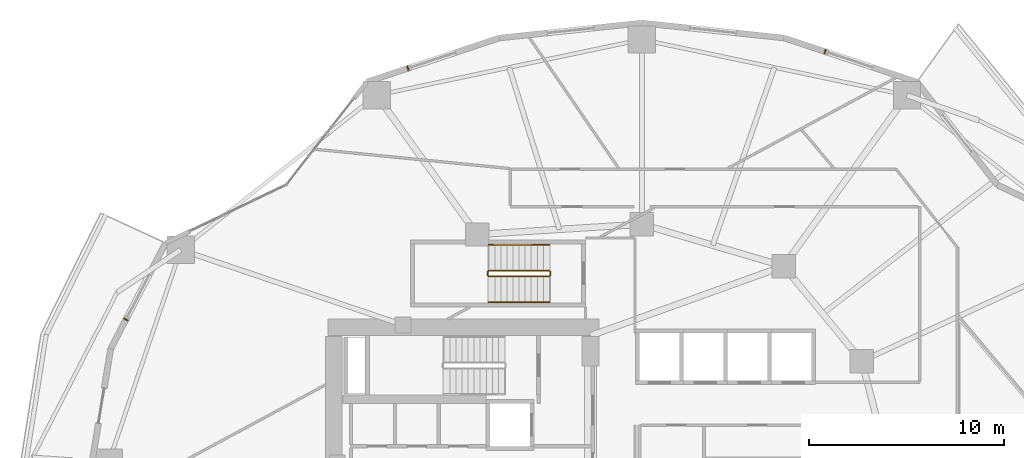
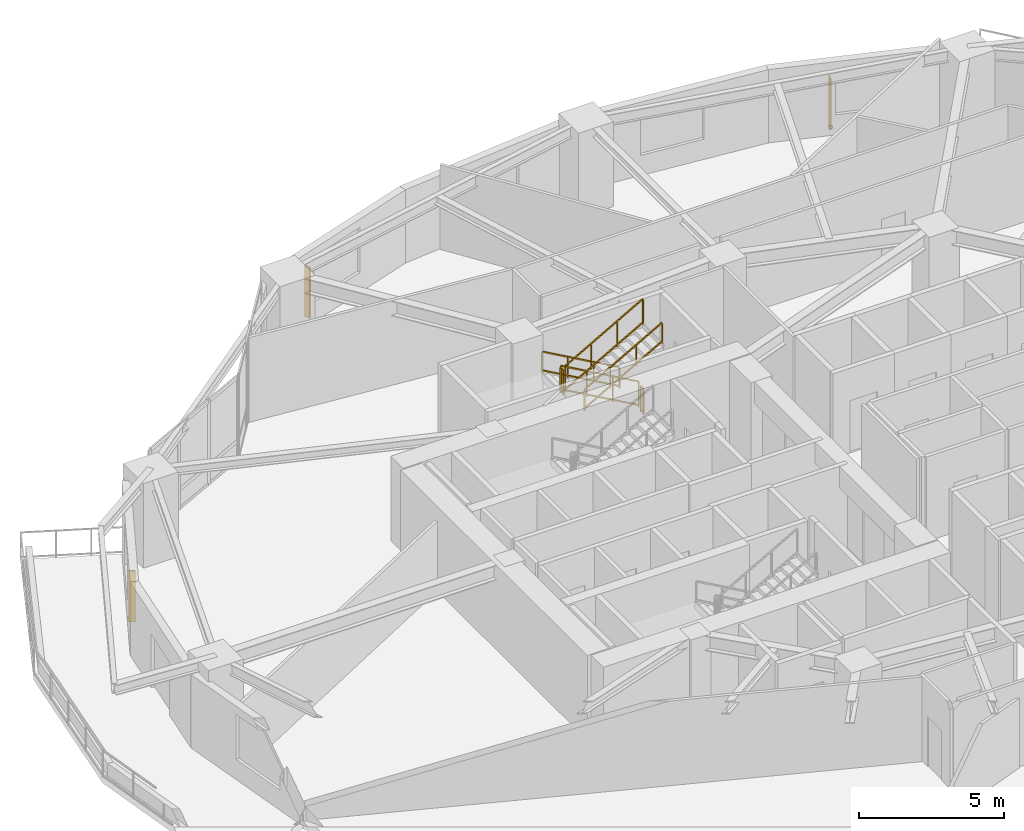
# One storey, part 18 of 19: 6 railings, 3 shading devices.
"""IFC4 building model written with IfcOpenShell, lengths in metres."""

from ifc_helpers import new_model, si_unit, direction, frame, origin, origin_2d, place, context, subcontext, project, spatial, rectangle, extrude, material, type_object, element, save


model = new_model("IFC4")

# Units and contexts
model_context = context("Model", 3, precision=1e-05, world=origin(), true_north=direction((0.0, 1.0)))
body_context = subcontext(model_context, "Body", "Model", "MODEL_VIEW")
ifc_project = project(units=[si_unit("LENGTHUNIT", "METRE"), si_unit("AREAUNIT", "SQUARE_METRE"), si_unit("VOLUMEUNIT", "CUBIC_METRE"), si_unit("PLANEANGLEUNIT", "RADIAN"), si_unit("MASSUNIT", "GRAM", prefix="KILO")], contexts=[model_context])

# Site, building, storey
site_placement = place(None, origin())
site = spatial("IfcSite", under=ifc_project, at=site_placement, CompositionType="ELEMENT")
building_placement = place(site_placement, origin())
building = spatial("IfcBuilding", under=site, at=building_placement, Name="Kolvaren Gate Tower and Convention Centre", CompositionType="ELEMENT")
storey_placement = place(building_placement, frame((0.0, 0.0, 38.050048828125)))
storey = spatial("IfcBuildingStorey", under=building, at=storey_placement, Name="L08", CompositionType="ELEMENT", Elevation=38.050048828125)

# Railings
ifc_material_1 = material(Name="Brushed Stainless Steel Grade 316L", Category="steel")
railing_type_1 = type_object("IfcRailingType", Name="ARCH-RL-GUARD-1150", PredefinedType="GUARDRAIL", material=ifc_material_1)
railing_1_placement = place(storey_placement, frame((25.39990234375, 36.830078125, 0.175048828125)))
element("IfcRailing", 1, at=railing_1_placement, inside=storey, type_object=railing_type_1, Name="L08 ST-T3 stair guard 1", PredefinedType="GUARDRAIL", context=body_context, shape_type="SweptSolid", body=[
    extrude(rectangle(XDim=0.048095703125, YDim=0.048095703125, at=origin_2d()), frame((0.0, 0.0, 1.076171875), z_axis=(-0.870814364268, 0.0, 0.491611984175), x_axis=(0.0, -1.0, 0.0)), (0.0, 0.0, 1.0), 3.559814453125),
    extrude(rectangle(XDim=0.048095703125, YDim=0.048095703125, at=origin_2d()), frame((0.0, 0.0, 0.083984375), z_axis=(-0.870814364268, 0.0, 0.491611984175), x_axis=(0.0, -1.0, 0.0)), (0.0, 0.0, 1.0), 3.559814453125),
    extrude(rectangle(XDim=0.0419921875, YDim=0.0419921875, at=origin_2d()), origin(), (0.0, 0.0, 1.0), 1.050048828125),
    extrude(rectangle(XDim=0.0419921875, YDim=0.0419921875, at=origin_2d()), frame((-3.099853515625, 0.0, 1.75)), (0.0, 0.0, 1.0), 1.050048828125),
    extrude(rectangle(XDim=0.0419921875, YDim=0.0419921875, at=origin_2d()), frame((-1.033203125, 0.0, 0.583251953125)), (0.0, 0.0, 1.0), 1.050048828125),
    extrude(rectangle(XDim=0.0419921875, YDim=0.0419921875, at=origin_2d()), frame((-2.066650390625, 0.0, 1.166748046875)), (0.0, 0.0, 1.0), 1.050048828125),
])
railing_2_placement = place(storey_placement, frame((22.25, 36.780029296875, 1.925048828125)))
element("IfcRailing", 2, at=railing_2_placement, inside=storey, type_object=railing_type_1, Name="L08 ST-T3 stair guard 2", PredefinedType="GUARDRAIL", context=body_context, shape_type="SweptSolid", body=[
    extrude(rectangle(XDim=0.048095703125, YDim=0.048095703125, at=origin_2d()), frame((0.0, 0.0, 1.076171875), z_axis=(0.0, -1.0, 0.0), x_axis=(1.0, 0.0, 0.0)), (0.0, 0.0, 1.0), 0.199951171875),
    extrude(rectangle(XDim=0.048095703125, YDim=0.048095703125, at=origin_2d()), frame((0.0, 0.0, 0.083984375), z_axis=(0.0, -1.0, 0.0), x_axis=(1.0, 0.0, 0.0)), (0.0, 0.0, 1.0), 0.199951171875),
    extrude(rectangle(XDim=0.0419921875, YDim=0.0419921875, at=origin_2d()), origin(), (0.0, 0.0, 1.0), 1.050048828125),
    extrude(rectangle(XDim=0.0419921875, YDim=0.0419921875, at=origin_2d()), frame((0.0, -0.199951171875, 0.0)), (0.0, 0.0, 1.0), 1.050048828125),
])
railing_3_placement = place(storey_placement, frame((22.300048828125, 36.530029296875, 2.099853515625)))
element("IfcRailing", 3, at=railing_3_placement, inside=storey, type_object=railing_type_1, Name="L08 ST-T3 stair guard 3", PredefinedType="GUARDRAIL", context=body_context, shape_type="SweptSolid", body=[
    extrude(rectangle(XDim=0.048095703125, YDim=0.048095703125, at=origin_2d()), frame((0.0, 0.0, 1.076171875), z_axis=(0.870814364268, 0.0, 0.491611984175), x_axis=(0.0, 1.0, 0.0)), (0.0, 0.0, 1.0), 3.559814453125),
    extrude(rectangle(XDim=0.048095703125, YDim=0.048095703125, at=origin_2d()), frame((0.0, 0.0, 0.083984375), z_axis=(0.870814364268, 0.0, 0.491611984175), x_axis=(0.0, 1.0, 0.0)), (0.0, 0.0, 1.0), 3.559814453125),
    extrude(rectangle(XDim=0.0419921875, YDim=0.0419921875, at=origin_2d()), origin(), (0.0, 0.0, 1.0), 1.050048828125),
    extrude(rectangle(XDim=0.0419921875, YDim=0.0419921875, at=origin_2d()), frame((3.099853515625, 0.0, 1.75)), (0.0, 0.0, 1.0), 1.050048828125),
    extrude(rectangle(XDim=0.0419921875, YDim=0.0419921875, at=origin_2d()), frame((1.033203125, 0.0, 0.583251953125)), (0.0, 0.0, 1.0), 1.050048828125),
    extrude(rectangle(XDim=0.0419921875, YDim=0.0419921875, at=origin_2d()), frame((2.066650390625, 0.0, 1.166748046875)), (0.0, 0.0, 1.0), 1.050048828125),
])
railing_4_placement = place(storey_placement, frame((25.449951171875, 36.780029296875, 0.0)))
element("IfcRailing", 4, at=railing_4_placement, inside=storey, type_object=railing_type_1, Name="L08 ST-T3 stair guard 4", PredefinedType="GUARDRAIL", context=body_context, shape_type="SweptSolid", body=[
    extrude(rectangle(XDim=0.048095703125, YDim=0.048095703125, at=origin_2d()), frame((0.0, 0.0, 1.076171875), z_axis=(0.0, -1.0, 0.0), x_axis=(1.0, 0.0, 0.0)), (0.0, 0.0, 1.0), 0.199951171875),
    extrude(rectangle(XDim=0.048095703125, YDim=0.048095703125, at=origin_2d()), frame((0.0, 0.0, 0.083984375), z_axis=(0.0, -1.0, 0.0), x_axis=(1.0, 0.0, 0.0)), (0.0, 0.0, 1.0), 0.199951171875),
    extrude(rectangle(XDim=0.0419921875, YDim=0.0419921875, at=origin_2d()), origin(), (0.0, 0.0, 1.0), 1.050048828125),
    extrude(rectangle(XDim=0.0419921875, YDim=0.0419921875, at=origin_2d()), frame((0.0, -0.199951171875, 0.0)), (0.0, 0.0, 1.0), 1.050048828125),
])
railing_type_2 = type_object("IfcRailingType", Name="ARCH-RL-HANDRAIL-920", PredefinedType="HANDRAIL", material=ifc_material_1)
railing_5_placement = place(storey_placement, frame((25.39990234375, 38.14990234375, 0.175048828125)))
element("IfcRailing", 5, at=railing_5_placement, inside=storey, type_object=railing_type_2, Name="L08 ST-T3 stair handrail 1", PredefinedType="HANDRAIL", context=body_context, shape_type="SweptSolid", body=[
    extrude(rectangle(XDim=0.048095703125, YDim=0.048095703125, at=origin_2d()), frame((0.0, 0.0, 0.8759765625), z_axis=(-0.870814364268, 0.0, 0.491611984175), x_axis=(0.0, -1.0, 0.0)), (0.0, 0.0, 1.0), 3.559814453125),
    extrude(rectangle(XDim=0.048095703125, YDim=0.048095703125, at=origin_2d()), frame((0.0, 0.0, 0.083984375), z_axis=(-0.870814364268, 0.0, 0.491611984175), x_axis=(0.0, -1.0, 0.0)), (0.0, 0.0, 1.0), 3.559814453125),
    extrude(rectangle(XDim=0.0419921875, YDim=0.0419921875, at=origin_2d()), origin(), (0.0, 0.0, 1.0), 0.849853515625),
    extrude(rectangle(XDim=0.0419921875, YDim=0.0419921875, at=origin_2d()), frame((-3.099853515625, 0.0, 1.75)), (0.0, 0.0, 1.0), 0.849853515625),
    extrude(rectangle(XDim=0.0419921875, YDim=0.0419921875, at=origin_2d()), frame((-1.033203125, 0.0, 0.583251953125)), (0.0, 0.0, 1.0), 0.849853515625),
    extrude(rectangle(XDim=0.0419921875, YDim=0.0419921875, at=origin_2d()), frame((-2.066650390625, 0.0, 1.166748046875)), (0.0, 0.0, 1.0), 0.849853515625),
])
railing_6_placement = place(storey_placement, frame((22.300048828125, 35.2099609375, 2.099853515625)))
element("IfcRailing", 6, at=railing_6_placement, inside=storey, type_object=railing_type_2, Name="L08 ST-T3 stair handrail 2", PredefinedType="HANDRAIL", context=body_context, shape_type="SweptSolid", body=[
    extrude(rectangle(XDim=0.048095703125, YDim=0.048095703125, at=origin_2d()), frame((0.0, 0.0, 0.8759765625), z_axis=(0.870814364268, 0.0, 0.491611984175), x_axis=(0.0, 1.0, 0.0)), (0.0, 0.0, 1.0), 3.559814453125),
    extrude(rectangle(XDim=0.048095703125, YDim=0.048095703125, at=origin_2d()), frame((0.0, 0.0, 0.083984375), z_axis=(0.870814364268, 0.0, 0.491611984175), x_axis=(0.0, 1.0, 0.0)), (0.0, 0.0, 1.0), 3.559814453125),
    extrude(rectangle(XDim=0.0419921875, YDim=0.0419921875, at=origin_2d()), origin(), (0.0, 0.0, 1.0), 0.849853515625),
    extrude(rectangle(XDim=0.0419921875, YDim=0.0419921875, at=origin_2d()), frame((3.099853515625, 0.0, 1.75)), (0.0, 0.0, 1.0), 0.849853515625),
    extrude(rectangle(XDim=0.0419921875, YDim=0.0419921875, at=origin_2d()), frame((1.033203125, 0.0, 0.583251953125)), (0.0, 0.0, 1.0), 0.849853515625),
    extrude(rectangle(XDim=0.0419921875, YDim=0.0419921875, at=origin_2d()), frame((2.066650390625, 0.0, 1.166748046875)), (0.0, 0.0, 1.0), 0.849853515625),
])

# Shading devices
ifc_material_2 = material(Name="Kiln-Fired Bogota Terracotta Ceramic Louvre Profile", Category="masonry")
shading_device_type = type_object("IfcShadingDeviceType", Name="ARCH-SHD-FIN-180", PredefinedType="JALOUSIE", material=ifc_material_2)
for number, where, z_axis, x_axis, name in (
    (7, (39.5048828125, 48.037109375, 0.219970703125), (0.0, 0.0, 1.0), (0.949242826568, -0.314544203905, 0.0), "Ceramic Vertical Brise-Soleil Fin FN-L08-04"),
    (8, (18.1630859375, 47.181640625, 0.219970703125), (0.0, 0.0, 1.0), (0.949242826568, 0.314544203905, 0.0), "Ceramic Vertical Brise-Soleil Fin FN-L08-07"),
    (9, (3.737548828125, 34.32861328125, 0.219970703125), (0.0, 0.0, 1.0), (0.459789110083, 0.888028138208, 0.0), "Ceramic Vertical Brise-Soleil Fin FN-L08-10"),
):
    element("IfcShadingDevice", number, at=place(storey_placement, frame(where, z_axis=z_axis, x_axis=x_axis)), inside=storey, type_object=shading_device_type, Name=name, PredefinedType="JALOUSIE", context=body_context, shape_type="SweptSolid", body=[
        extrude(rectangle(XDim=0.06005859375, YDim=0.239990234375, at=origin_2d()), origin(), (0.0, 0.0, 1.0), 2.14990234375),
    ])

save(model, "model.ifc")
